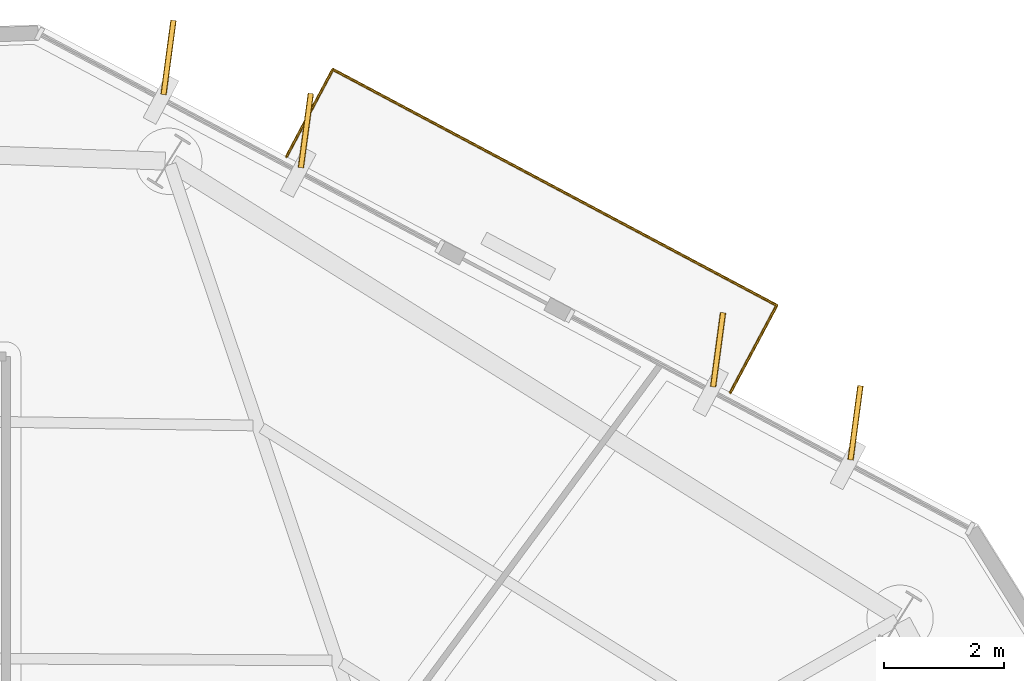
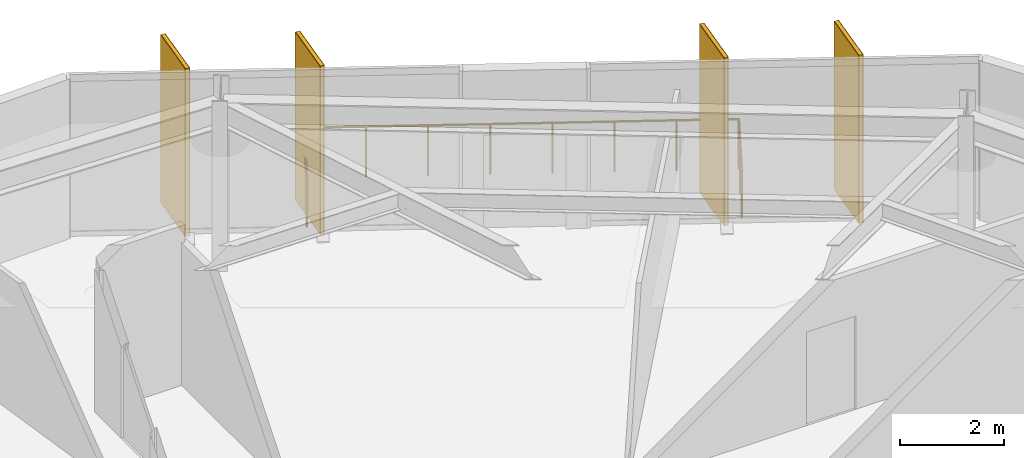
# One storey, part 12 of 12: 4 coverings, 4 shading devices, 1 railing.
"""IFC4 building model written with IfcOpenShell, lengths in metres."""

from ifc_helpers import new_model, si_unit, direction, frame, origin, origin_2d, place, context, subcontext, project, spatial, rectangle, circle, extrude, material, layer, layer_set, type_object, element, save


model = new_model("IFC4")

# Units and contexts
model_context = context("Model", 3, precision=1e-05, world=origin(), true_north=direction((0.0, 1.0)))
body_context = subcontext(model_context, "Body", "Model", "MODEL_VIEW")
ifc_project = project(units=[si_unit("LENGTHUNIT", "METRE"), si_unit("AREAUNIT", "SQUARE_METRE"), si_unit("VOLUMEUNIT", "CUBIC_METRE"), si_unit("PLANEANGLEUNIT", "RADIAN"), si_unit("MASSUNIT", "GRAM", prefix="KILO")], contexts=[model_context])

# Site, building, storey
site_placement = place(None, origin())
site = spatial("IfcSite", under=ifc_project, at=site_placement, CompositionType="ELEMENT")
building_placement = place(site_placement, origin())
building = spatial("IfcBuilding", under=site, at=building_placement, Name="Kranzbogen Civic Tower", CompositionType="ELEMENT")
storey_placement = place(building_placement, frame((0.0, 0.0, 150.39990234375)))
storey = spatial("IfcBuildingStorey", under=building, at=storey_placement, Name="L36", CompositionType="ELEMENT", Elevation=150.39990234375)

# Coverings
ifc_material_1 = material(Name="Pale Anodised Aluminium", Category="aluminium")
ifc_layer = layer(ifc_material_1, 0.02490234375, Name="Pale Anodised Aluminium")
ifc_layer_set = layer_set([ifc_layer], Name="Pale Anodised Aluminium")
covering_type = type_object("IfcCoveringType", Name="Anodised Aluminium Vertical Fin Cladding 25 mm", PredefinedType="CLADDING", material=ifc_layer_set)
for number, where, z_axis, x_axis, name in (
    (1, (40.14111328125, 40.093994140625, -0.139892578125), (0.0, 0.0, 1.0), (0.132533184693, 0.991178568652, 0.0), "L36 vertical fin pale-metal cladding F1-1"),
    (2, (37.844970703125, 41.31494140625, -0.139892578125), (0.0, 0.0, 1.0), (0.132533184693, 0.991178568652, 0.0), "L36 vertical fin pale-metal cladding F1-2"),
    (3, (30.9580078125, 44.97705078125, -0.139892578125), (0.0, 0.0, 1.0), (0.132533184693, 0.991178568652, 0.0), "L36 vertical fin pale-metal cladding F1-5"),
    (4, (28.6630859375, 46.197998046875, -0.139892578125), (0.0, 0.0, 1.0), (0.132533184693, 0.991178568652, 0.0), "L36 vertical fin pale-metal cladding F1-6"),
):
    element("IfcCovering", number, at=place(storey_placement, frame(where, z_axis=z_axis, x_axis=x_axis)), inside=storey, type_object=covering_type, Name=name, PredefinedType="CLADDING", context=body_context, shape_type="SweptSolid", body=[
        extrude(rectangle(XDim=1.25, YDim=0.10009765625, at=origin_2d()), origin(), (0.0, 0.0, 1.0), 3.9599609375),
    ])

# Shading devices
ifc_material_2 = material(Name="Anodised Bronze Aluminium", Category="aluminium")
shading_device_type = type_object("IfcShadingDeviceType", Name="Anodised Bronze Vertical Facade Fin 1250x80", PredefinedType="USERDEFINED", material=ifc_material_2)
for number, where, z_axis, x_axis, name in (
    (5, (40.14111328125, 40.093994140625, -0.139892578125), (0.0, 0.0, 1.0), (0.132533184693, 0.991178568652, 0.0), "L36 vertical exterior shading fin F1-1"),
    (6, (37.844970703125, 41.31494140625, -0.139892578125), (0.0, 0.0, 1.0), (0.132533184693, 0.991178568652, 0.0), "L36 vertical exterior shading fin F1-2"),
    (7, (30.9580078125, 44.97705078125, -0.139892578125), (0.0, 0.0, 1.0), (0.132533184693, 0.991178568652, 0.0), "L36 vertical exterior shading fin F1-5"),
    (8, (28.6630859375, 46.197998046875, -0.139892578125), (0.0, 0.0, 1.0), (0.132533184693, 0.991178568652, 0.0), "L36 vertical exterior shading fin F1-6"),
):
    element("IfcShadingDevice", number, at=place(storey_placement, frame(where, z_axis=z_axis, x_axis=x_axis)), inside=storey, type_object=shading_device_type, Name=name, ObjectType="FIN", PredefinedType="USERDEFINED", context=body_context, shape_type="SweptSolid", body=[
        extrude(rectangle(XDim=1.25, YDim=0.080078125, at=origin_2d()), origin(), (0.0, 0.0, 1.0), 3.9599609375),
    ])

# Railing
railing_type = type_object("IfcRailingType", Name="Cantilevered Balcony Glass and Bronze Balustrade 1200", PredefinedType="BALUSTRADE", material=ifc_material_2)
railing_placement = place(storey_placement, frame((38.051025390625, 40.59912109375, 0.0)))
element("IfcRailing", 9, at=railing_placement, inside=storey, type_object=railing_type, Name="L36 exterior terrace balustrade L36-ST", PredefinedType="BALUSTRADE", context=body_context, shape_type="SweptSolid", body=[
    extrude(circle(Radius=0.02392578125, at=origin_2d()), frame((0.0, 0.0, 1.17578125), z_axis=(0.469620334342, 0.882868473541, 0.0), x_axis=(-0.882868473541, 0.469620334342, 0.0)), (0.0, 0.0, 1.0), 1.650146484375),
    extrude(circle(Radius=0.02392578125, at=origin_2d()), frame((0.77490234375, 1.456787109375, 1.17578125), z_axis=(-0.882975693014, 0.469418710265, 0.0), x_axis=(-0.469418710265, -0.882975693014, 0.0)), (0.0, 0.0, 1.0), 8.39990234375),
    extrude(circle(Radius=0.02392578125, at=origin_2d()), frame((-6.64208984375, 5.39990234375, 1.17578125), z_axis=(-0.469558995698, -0.882901098402, 0.0), x_axis=(0.882901098402, -0.469558995698, 0.0)), (0.0, 0.0, 1.0), 1.650390625),
    extrude(circle(Radius=0.02099609375, at=origin_2d()), origin(), (0.0, 0.0, 1.0), 1.15185546875),
    extrude(circle(Radius=0.02099609375, at=origin_2d()), frame((0.387451171875, 0.728515625, 0.0)), (0.0, 0.0, 1.0), 1.15185546875),
    extrude(circle(Radius=0.02099609375, at=origin_2d()), frame((0.77490234375, 1.456787109375, 0.0)), (0.0, 0.0, 1.0), 1.15185546875),
    extrude(circle(Radius=0.02099609375, at=origin_2d()), frame((-0.28466796875, 2.02001953125, 0.0)), (0.0, 0.0, 1.0), 1.15185546875),
    extrude(circle(Radius=0.02099609375, at=origin_2d()), frame((-1.34423828125, 2.58349609375, 0.0)), (0.0, 0.0, 1.0), 1.15185546875),
    extrude(circle(Radius=0.02099609375, at=origin_2d()), frame((-2.40380859375, 3.146728515625, 0.0)), (0.0, 0.0, 1.0), 1.15185546875),
    extrude(circle(Radius=0.02099609375, at=origin_2d()), frame((-3.46337890625, 3.7099609375, 0.0)), (0.0, 0.0, 1.0), 1.15185546875),
    extrude(circle(Radius=0.02099609375, at=origin_2d()), frame((-4.52294921875, 4.273193359375, 0.0)), (0.0, 0.0, 1.0), 1.15185546875),
    extrude(circle(Radius=0.02099609375, at=origin_2d()), frame((-5.58251953125, 4.836669921875, 0.0)), (0.0, 0.0, 1.0), 1.15185546875),
    extrude(circle(Radius=0.02099609375, at=origin_2d()), frame((-6.64208984375, 5.39990234375, 0.0)), (0.0, 0.0, 1.0), 1.15185546875),
    extrude(circle(Radius=0.02099609375, at=origin_2d()), frame((-7.029541015625, 4.67138671875, 0.0)), (0.0, 0.0, 1.0), 1.15185546875),
    extrude(circle(Radius=0.02099609375, at=origin_2d()), frame((-7.4169921875, 3.94287109375, 0.0)), (0.0, 0.0, 1.0), 1.15185546875),
])

save(model, "model.ifc")
